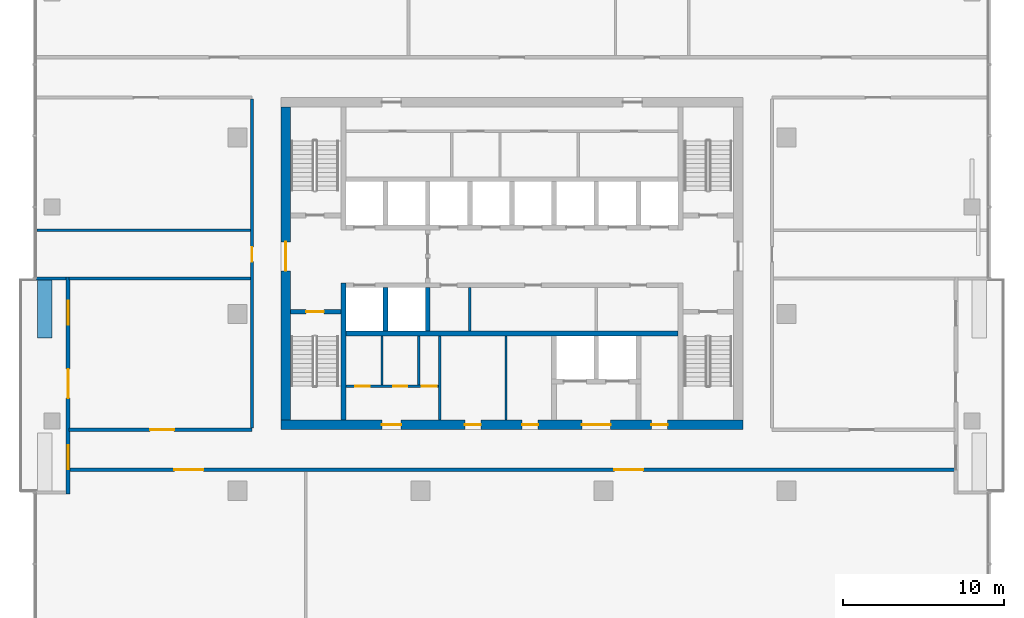
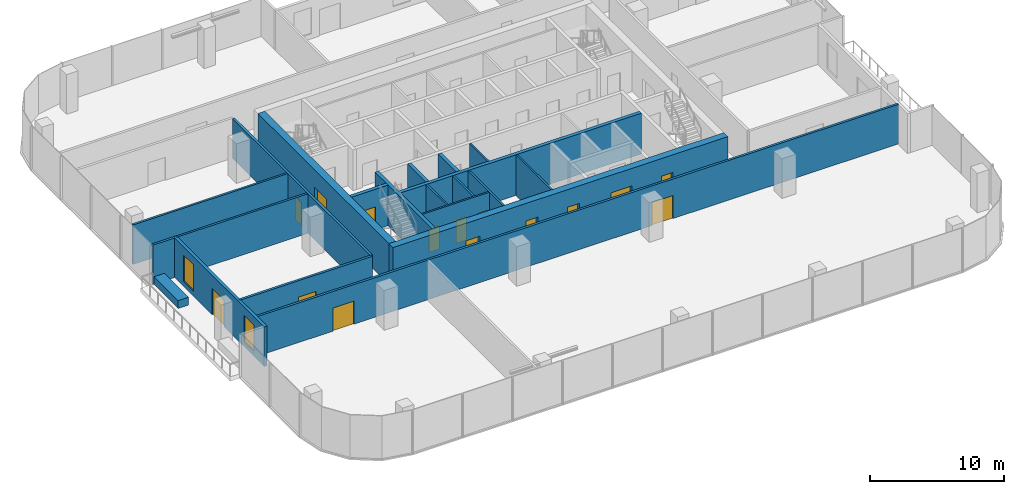
# One storey, part 7 of 13: 21 walls, 15 doors, 2 windows, 17 openings.
"""IFC4 building model written with IfcOpenShell, lengths in metres."""

import ifcopenshell
import ifcopenshell.guid

model = None  # the IFC model being written
_history = None  # IfcOwnerHistory: only IFC2X3 demands one
_inside = {}  # id of a spatial element -> (the spatial element, [elements in it])
_under = {}  # id of a project, library or spatial element -> (it, [spatial elements below it])
_declared = {}  # id of a project -> (the project, [libraries it declares])
_typed = {}  # id of a type object -> (the type object, [elements of that type])
_made_of = {}  # id of a material, layer set ... -> (it, [elements and type objects made of it])


def new_model(schema):
    """Start an empty IFC model of exactly this schema.

    Asked for "IFC4X3", IfcOpenShell would pick the latest addendum, in which some entities
    have other attributes; the version numbers below select the first issue.
    IFC2X3 requires an IfcOwnerHistory on every rooted entity: one is made here for all.
    """
    global model, _history
    if schema == "IFC4X3":
        model = ifcopenshell.file(schema_version=(4, 3, 0, 0))
    else:
        model = ifcopenshell.file(schema=schema)
    _inside.clear()
    _under.clear()
    _declared.clear()
    _typed.clear()
    _made_of.clear()
    _history = None
    if model.schema == "IFC2X3":
        org = make("IfcOrganization", Name="unknown")
        user = make(
            "IfcPersonAndOrganization",
            ThePerson=make("IfcPerson", FamilyName="unknown"),
            TheOrganization=org,
        )
        app = make(
            "IfcApplication",
            ApplicationDeveloper=org,
            Version="unknown",
            ApplicationFullName="unknown",
            ApplicationIdentifier="unknown",
        )
        _history = make(
            "IfcOwnerHistory",
            OwningUser=user,
            OwningApplication=app,
            ChangeAction="ADDED",
            CreationDate=0,
        )
    return model


def make(cls, **values):
    """One entity of the class cls with the attributes given. An attribute that is None is left unset."""
    return model.create_entity(
        cls, **{name: value for name, value in values.items() if value is not None}
    )


def rooted(cls, **values):
    """An entity with a GlobalId (a new one), such as an element, a storey or a relation."""
    return make(cls, GlobalId=ifcopenshell.guid.new(), OwnerHistory=_history, **values)


def si_unit(unit_type, name, prefix=None):
    """IfcSIUnit, for example si_unit("LENGTHUNIT", "METRE", prefix="MILLI")."""
    return make("IfcSIUnit", UnitType=unit_type, Prefix=prefix, Name=name)


def assignment(units):
    """IfcUnitAssignment: the units of a project."""
    return None if units is None else make("IfcUnitAssignment", Units=units)


def point(xyz):
    """IfcCartesianPoint."""
    return None if xyz is None else make("IfcCartesianPoint", Coordinates=xyz)


def direction(xyz):
    """IfcDirection."""
    return None if xyz is None else make("IfcDirection", DirectionRatios=xyz)


def frame(location, z_axis=None, x_axis=None):
    """IfcAxis2Placement3D, a coordinate frame: its origin and axes. An axis left out is left unset."""
    return make(
        "IfcAxis2Placement3D",
        Location=point(location),
        Axis=direction(z_axis),
        RefDirection=direction(x_axis),
    )


def frame_2d(location, x_axis=None):
    """IfcAxis2Placement2D, a coordinate frame in the plane: its origin and x axis."""
    return make(
        "IfcAxis2Placement2D", Location=point(location), RefDirection=direction(x_axis)
    )


def origin():
    """The frame at (0, 0, 0) with its axes left unset."""
    return frame((0.0, 0.0, 0.0))


def place(relative_to, where):
    """IfcLocalPlacement: puts the frame where relative to a parent placement (None: the world)."""
    return make(
        "IfcLocalPlacement", PlacementRelTo=relative_to, RelativePlacement=where
    )


def context(
    kind, dimensions, precision=None, world=None, true_north=None, identifier=None
):
    """IfcGeometricRepresentationContext, for example the 3D "Model" context."""
    return make(
        "IfcGeometricRepresentationContext",
        ContextIdentifier=identifier,
        ContextType=kind,
        CoordinateSpaceDimension=dimensions,
        Precision=precision,
        WorldCoordinateSystem=world,
        TrueNorth=true_north,
    )


def subcontext(parent, identifier, kind, view, scale=None):
    """IfcGeometricRepresentationSubContext, for example "Body" below "Model"."""
    return make(
        "IfcGeometricRepresentationSubContext",
        ContextIdentifier=identifier,
        ContextType=kind,
        ParentContext=parent,
        TargetScale=scale,
        TargetView=view,
    )


def project(units=None, contexts=None):
    """IfcProject with its units and contexts."""
    return rooted(
        "IfcProject",
        Name="project",
        RepresentationContexts=contexts,
        UnitsInContext=assignment(units),
    )


def spatial(cls, under=None, at=None, **own):
    """A site, building, storey or space (cls), placed at a placement, below another one or the project."""
    s = rooted(cls, ObjectPlacement=at, **own)
    if under is not None:
        _under.setdefault(under.id(), (under, []))[1].append(s)
    return s


def profile(cls, at=None, kind="AREA", **sizes):
    """A parametric profile (cls). Its sizes go by their IFC names, for example OverallWidth=200.0."""
    return make(cls, ProfileType=kind, Position=at, **sizes)


def rectangle(**sizes):
    """IfcRectangleProfileDef."""
    return profile("IfcRectangleProfileDef", **sizes)


def extrude(swept, where, along, depth):
    """IfcExtrudedAreaSolid: the profile swept, set in the frame where, extruded along a direction by depth."""
    return make(
        "IfcExtrudedAreaSolid",
        SweptArea=swept,
        Position=where,
        ExtrudedDirection=direction(along),
        Depth=depth,
    )


def shape(context_of_items, identifier, shape_type, items):
    """IfcShapeRepresentation: the items that make up one representation, for example the "Body"."""
    return make(
        "IfcShapeRepresentation",
        ContextOfItems=context_of_items,
        RepresentationIdentifier=identifier,
        RepresentationType=shape_type,
        Items=items,
    )


def material(Name=None, Category=None):
    """IfcMaterial."""
    return make("IfcMaterial", Name=Name, Category=Category)


def layer(
    of_material, thickness, ventilated=None, Name=None, Category=None, Priority=None
):
    """IfcMaterialLayer: one layer of a wall or slab, of a material (None: an air gap)."""
    return make(
        "IfcMaterialLayer",
        Material=of_material,
        LayerThickness=thickness,
        IsVentilated=ventilated,
        Name=Name,
        Category=Category,
        Priority=Priority,
    )


def layer_set(layers, Name=None):
    """IfcMaterialLayerSet."""
    return make("IfcMaterialLayerSet", MaterialLayers=layers, LayerSetName=Name)


def made_of(thing, what):
    """Note that an element or type object is made of a material, layer set ...; save() writes the relation."""
    if what is not None:
        _made_of.setdefault(what.id(), (what, []))[1].append(thing)
    return thing


def type_object(cls, material=None, **own):
    """A type object (cls), such as IfcWallType, which elements share."""
    return made_of(rooted(cls, **own), material)


def element(
    cls,
    number,
    at=None,
    inside=None,
    cuts=None,
    type_object=None,
    material=None,
    context=None,
    identifier="Body",
    shape_type=None,
    held_by="IfcProductDefinitionShape",
    body=None,
    shapes=None,
    **own,
):
    """One element of the class cls, such as IfcWall. Its Tag is "e" and its number.

    at: its placement. inside: the storey or other place that contains it. cuts: it is an
    opening in that element (IfcRelVoidsElement). A single representation is given by context,
    identifier, shape_type and body (its items); several are given by shapes. held_by: the class
    of the entity that holds the representations. save() writes the other relations.
    """
    e = rooted(cls, Tag="e%d" % number, ObjectPlacement=at, **own)
    if body is not None:
        shapes = [shape(context, identifier, shape_type, body)]
    if shapes is not None:
        e.Representation = make(held_by, Representations=shapes)
    if inside is not None:
        _inside.setdefault(inside.id(), (inside, []))[1].append(e)
    if cuts is not None:
        rooted(
            "IfcRelVoidsElement", RelatingBuildingElement=cuts, RelatedOpeningElement=e
        )
    if type_object is not None:
        _typed.setdefault(type_object.id(), (type_object, []))[1].append(e)
    return made_of(e, material)


def fill(opening, filler):
    """IfcRelFillsElement: the door or window that sits in an opening."""
    return rooted(
        "IfcRelFillsElement",
        RelatingOpeningElement=opening,
        RelatedBuildingElement=filler,
    )


def aggregate(whole, parts):
    """IfcRelAggregates: a whole, such as a stair, and the parts it consists of."""
    return rooted("IfcRelAggregates", RelatingObject=whole, RelatedObjects=parts)


def save(model, path):
    """Write the relations noted so far, then the file.

    IfcRelAggregates (storeys below a building ...), IfcRelContainedInSpatialStructure (elements
    in a storey), IfcRelDefinesByType, IfcRelAssociatesMaterial and IfcRelDeclares: one each for
    every whole, place, type object, material and project.
    """
    for whole, parts in _under.values():
        aggregate(whole, parts)
    for where, things in _inside.values():
        rooted(
            "IfcRelContainedInSpatialStructure",
            RelatedElements=things,
            RelatingStructure=where,
        )
    for kind, things in _typed.values():
        rooted("IfcRelDefinesByType", RelatedObjects=things, RelatingType=kind)
    for what, things in _made_of.values():
        rooted("IfcRelAssociatesMaterial", RelatedObjects=things, RelatingMaterial=what)
    for by, libraries in _declared.values():
        rooted("IfcRelDeclares", RelatingContext=by, RelatedDefinitions=libraries)
    model.write(path)


model = new_model("IFC4")

# Units and contexts
model_context = context("Model", 3, precision=1e-05, world=origin(), true_north=direction((0.0, 1.0)))
body_context = subcontext(model_context, "Body", "Model", "MODEL_VIEW")
ifc_project = project(units=[si_unit("LENGTHUNIT", "METRE"), si_unit("AREAUNIT", "SQUARE_METRE"), si_unit("VOLUMEUNIT", "CUBIC_METRE"), si_unit("PLANEANGLEUNIT", "RADIAN"), si_unit("MASSUNIT", "GRAM", prefix="KILO")], contexts=[model_context])

# Site, building, storey
site_placement = place(None, origin())
site = spatial("IfcSite", under=ifc_project, at=site_placement, CompositionType="ELEMENT")
building_placement = place(site_placement, origin())
building = spatial("IfcBuilding", under=site, at=building_placement, Name="Mopane Tessera Tower", CompositionType="ELEMENT")
storey_placement = place(building_placement, frame((0.0, 0.0, 287.39990234375)))
storey = spatial("IfcBuildingStorey", under=building, at=storey_placement, Name="L62", CompositionType="ELEMENT", Elevation=287.39990234375)

# Wall, openings, doors
ifc_material_1 = material(Name="Fire-rated gypsum board partition")
ifc_layer_1 = layer(ifc_material_1, 0.14990234375)
ifc_layer_set_1 = layer_set([ifc_layer_1], Name="Fire-rated gypsum board partition")
wall_type_1 = type_object("IfcWallType", Name="Core room partition 150 mm", PredefinedType="PARTITIONING", material=ifc_layer_set_1)
wall_1_placement = place(storey_placement, frame((-10.35009765625, -4.5, 0.0), z_axis=(0.0, 0.0, 1.0), x_axis=(1.0, 0.0, 0.0)))
wall_1 = element("IfcWall", 1, at=wall_1_placement, inside=storey, type_object=wall_type_1, Name="L62 WC partition", PredefinedType="PARTITIONING", context=body_context, shape_type="SweptSolid", body=[
    extrude(rectangle(XDim=5.775146484375, YDim=0.14990234375, at=frame_2d((2.8876953125, 0.0))), origin(), (0.0, 0.0, 1.0), 3.7001953125),
])
opening_1_placement = place(wall_1_placement, frame((0.60009765625, 0.0, 0.0)))
opening_1 = element("IfcOpeningElement", 2, at=opening_1_placement, cuts=wall_1, Name="Opening WD1", PredefinedType="OPENING", context=body_context, shape_type="SweptSolid", body=[
    extrude(rectangle(XDim=0.89990234375, YDim=2.10009765625, at=frame_2d((0.449951171875, 1.050048828125))), frame((0.0, 0.0869140625, 0.0), z_axis=(0.0, -1.0, 0.0), x_axis=(1.0, 0.0, 0.0)), (0.0, 0.0, 1.0), 0.173828125),
])
opening_2_placement = place(wall_1_placement, frame((2.93994140625, 0.0, 0.0)))
opening_2 = element("IfcOpeningElement", 3, at=opening_2_placement, cuts=wall_1, Name="Opening WD1", PredefinedType="OPENING", context=body_context, shape_type="SweptSolid", body=[
    extrude(rectangle(XDim=0.89990234375, YDim=2.10009765625, at=frame_2d((0.449951171875, 1.050048828125))), frame((0.0, 0.0869140625, 0.0), z_axis=(0.0, -1.0, 0.0), x_axis=(1.0, 0.0, 0.0)), (0.0, 0.0, 1.0), 0.173828125),
])
opening_3_placement = place(wall_1_placement, frame((4.715087890625, 0.0, 0.0)))
opening_3 = element("IfcOpeningElement", 4, at=opening_3_placement, cuts=wall_1, Name="Opening WD2", PredefinedType="OPENING", context=body_context, shape_type="SweptSolid", body=[
    extrude(rectangle(XDim=0.949951171875, YDim=2.10009765625, at=frame_2d((0.47509765625, 1.050048828125))), frame((0.0, 0.0869140625, 0.0), z_axis=(0.0, -1.0, 0.0), x_axis=(1.0, 0.0, 0.0)), (0.0, 0.0, 1.0), 0.173828125),
])
ifc_material_2 = material(Name="Timber door", Category="wood")
door_type_1 = type_object("IfcDoorType", Name="Accessible WC door 950 x 2100", OperationType="SINGLE_SWING_LEFT", PredefinedType="DOOR", material=ifc_material_2)
door_1_placement = place(opening_3_placement, origin())
door_1 = element("IfcDoor", 5, at=door_1_placement, inside=storey, type_object=door_type_1, Name="L62 Accessible WC door", OperationType="SINGLE_SWING_LEFT", OverallHeight=2.10009765625, OverallWidth=0.949951171875, PredefinedType="DOOR", context=body_context, shape_type="SweptSolid", body=[
    extrude(rectangle(XDim=0.949951171875, YDim=2.10009765625, at=frame_2d((0.47509765625, 1.050048828125))), frame((0.0, 0.02490234375, 0.0), z_axis=(0.0, -1.0, 0.0), x_axis=(1.0, 0.0, 0.0)), (0.0, 0.0, 1.0), 0.050048828125),
])
fill(opening_3, door_1)
ifc_material_3 = material(Name="Timber door", Category="wood")
door_type_2 = type_object("IfcDoorType", Name="WC cubicle door 900 x 2100", OperationType="SINGLE_SWING_LEFT", PredefinedType="DOOR", material=ifc_material_3)
door_2_placement = place(opening_1_placement, origin())
door_2 = element("IfcDoor", 6, at=door_2_placement, inside=storey, type_object=door_type_2, Name="L62 Men's WC door", OperationType="SINGLE_SWING_LEFT", OverallHeight=2.10009765625, OverallWidth=0.89990234375, PredefinedType="DOOR", context=body_context, shape_type="SweptSolid", body=[
    extrude(rectangle(XDim=0.89990234375, YDim=2.10009765625, at=frame_2d((0.449951171875, 1.050048828125))), frame((0.0, 0.02490234375, 0.0), z_axis=(0.0, -1.0, 0.0), x_axis=(1.0, 0.0, 0.0)), (0.0, 0.0, 1.0), 0.050048828125),
])
fill(opening_1, door_2)
door_3_placement = place(opening_2_placement, origin())
door_3 = element("IfcDoor", 7, at=door_3_placement, inside=storey, type_object=door_type_2, Name="L62 Women's WC door", OperationType="SINGLE_SWING_LEFT", OverallHeight=2.10009765625, OverallWidth=0.89990234375, PredefinedType="DOOR", context=body_context, shape_type="SweptSolid", body=[
    extrude(rectangle(XDim=0.89990234375, YDim=2.10009765625, at=frame_2d((0.449951171875, 1.050048828125))), frame((0.0, 0.02490234375, 0.0), z_axis=(0.0, -1.0, 0.0), x_axis=(1.0, 0.0, 0.0)), (0.0, 0.0, 1.0), 0.050048828125),
])
fill(opening_2, door_3)

# Walls
for number, where, z_axis, x_axis, name in (
    (8, (-8.10009765625, -4.425048828125, 0.0), (0.0, 0.0, 1.0), (0.0, 1.0, 0.0), "L62 WC partition"),
    (9, (-5.820068359375, -4.425048828125, 0.0), (0.0, 0.0, 1.0), (0.0, 1.0, 0.0), "L62 WC partition"),
):
    element("IfcWall", number, at=place(storey_placement, frame(where, z_axis=z_axis, x_axis=x_axis)), inside=storey, type_object=wall_type_1, Name=name, PredefinedType="PARTITIONING", context=body_context, shape_type="SweptSolid", body=[
        extrude(rectangle(XDim=3.074951171875, YDim=0.14990234375, at=frame_2d((1.53759765625, 0.0))), origin(), (0.0, 0.0, 1.0), 3.7001953125),
    ])
for number, where, z_axis, x_axis, name in (
    (10, (-4.5, -6.60009765625, 0.0), (0.0, 0.0, 1.0), (0.0, 1.0, 0.0), "L62 Room partition"),
    (11, (-0.375, -6.60009765625, 0.0), (0.0, 0.0, 1.0), (0.0, 1.0, 0.0), "L62 Room partition"),
):
    element("IfcWall", number, at=place(storey_placement, frame(where, z_axis=z_axis, x_axis=x_axis)), inside=storey, type_object=wall_type_1, Name=name, PredefinedType="PARTITIONING", context=body_context, shape_type="SweptSolid", body=[
        extrude(rectangle(XDim=5.25, YDim=0.14990234375, at=frame_2d((2.625, 0.0))), origin(), (0.0, 0.0, 1.0), 3.7001953125),
    ])
wall_2_placement = place(storey_placement, frame((-2.625, -1.050048828125, 0.0), z_axis=(0.0, 0.0, 1.0), x_axis=(0.0, 1.0, 0.0)))
element("IfcWall", 12, at=wall_2_placement, inside=storey, type_object=wall_type_1, Name="L62 Room partition", PredefinedType="PARTITIONING", context=body_context, shape_type="SweptSolid", body=[
    extrude(rectangle(XDim=2.699951171875, YDim=0.14990234375, at=frame_2d((1.35009765625, 0.0))), origin(), (0.0, 0.0, 1.0), 3.7001953125),
])

# Wall, openings, doors
ifc_material_4 = material(Name="Concrete C70/85", Category="concrete")
ifc_layer_2 = layer(ifc_material_4, 0.60009765625)
ifc_layer_set_2 = layer_set([ifc_layer_2], Name="Concrete C70/85")
wall_type_2 = type_object("IfcWallType", Name="Core shear wall 600 mm", PredefinedType="SHEAR", material=ifc_layer_set_2)
wall_3_placement = place(storey_placement, frame((-14.39990234375, -6.89990234375, 0.0), z_axis=(0.0, 0.0, 1.0), x_axis=(1.0, 0.0, 0.0)))
wall_3 = element("IfcWall", 13, at=wall_3_placement, inside=storey, type_object=wall_type_2, Name="L62 Core wall south", PredefinedType="SHEAR", context=body_context, shape_type="SweptSolid", body=[
    extrude(rectangle(XDim=28.7998046875, YDim=0.60009765625, at=frame_2d((14.39990234375, 0.0))), origin(), (0.0, 0.0, 1.0), 3.7001953125),
])
opening_4_placement = place(wall_3_placement, frame((6.300048828125, 0.0, 0.0)))
opening_4 = element("IfcOpeningElement", 14, at=opening_4_placement, cuts=wall_3, Name="Opening WD3", PredefinedType="OPENING", context=body_context, shape_type="SweptSolid", body=[
    extrude(rectangle(XDim=1.199951171875, YDim=2.10009765625, at=frame_2d((0.60009765625, 1.050048828125))), frame((0.0, 0.31201171875, 0.0), z_axis=(0.0, -1.0, 0.0), x_axis=(1.0, 0.0, 0.0)), (0.0, 0.0, 1.0), 0.6240234375),
])
opening_5_placement = place(wall_3_placement, frame((11.46240234375, 0.0, 0.0)))
opening_5 = element("IfcOpeningElement", 15, at=opening_5_placement, cuts=wall_3, Name="Opening RD1", PredefinedType="OPENING", context=body_context, shape_type="SweptSolid", body=[
    extrude(rectangle(XDim=1.0, YDim=2.10009765625, at=frame_2d((0.5, 1.050048828125))), frame((0.0, 0.31201171875, 0.0), z_axis=(0.0, -1.0, 0.0), x_axis=(1.0, 0.0, 0.0)), (0.0, 0.0, 1.0), 0.6240234375),
])
opening_6_placement = place(wall_3_placement, frame((15.02490234375, 0.0, 0.0)))
opening_6 = element("IfcOpeningElement", 16, at=opening_6_placement, cuts=wall_3, Name="Opening RD1", PredefinedType="OPENING", context=body_context, shape_type="SweptSolid", body=[
    extrude(rectangle(XDim=1.0, YDim=2.10009765625, at=frame_2d((0.5, 1.050048828125))), frame((0.0, 0.31201171875, 0.0), z_axis=(0.0, -1.0, 0.0), x_axis=(1.0, 0.0, 0.0)), (0.0, 0.0, 1.0), 0.6240234375),
])
opening_7_placement = place(wall_3_placement, frame((18.75, 0.0, 0.0)))
opening_7 = element("IfcOpeningElement", 17, at=opening_7_placement, cuts=wall_3, Name="Opening SD2", PredefinedType="OPENING", context=body_context, shape_type="SweptSolid", body=[
    extrude(rectangle(XDim=1.800048828125, YDim=2.10009765625, at=frame_2d((0.89990234375, 1.050048828125))), frame((0.0, 0.31201171875, 0.0), z_axis=(0.0, -1.0, 0.0), x_axis=(1.0, 0.0, 0.0)), (0.0, 0.0, 1.0), 0.6240234375),
])
opening_8_placement = place(wall_3_placement, frame((23.08740234375, 0.0, 0.0)))
opening_8 = element("IfcOpeningElement", 18, at=opening_8_placement, cuts=wall_3, Name="Opening RD1", PredefinedType="OPENING", context=body_context, shape_type="SweptSolid", body=[
    extrude(rectangle(XDim=1.0, YDim=2.10009765625, at=frame_2d((0.5, 1.050048828125))), frame((0.0, 0.31201171875, 0.0), z_axis=(0.0, -1.0, 0.0), x_axis=(1.0, 0.0, 0.0)), (0.0, 0.0, 1.0), 0.6240234375),
])
ifc_material_5 = material(Name="Steel fire door", Category="steel")
door_type_3 = type_object("IfcDoorType", Name="Core entrance double door 1800 x 2100", OperationType="DOUBLE_DOOR_SINGLE_SWING", PredefinedType="DOOR", material=ifc_material_5)
door_4_placement = place(opening_7_placement, origin())
door_4 = element("IfcDoor", 19, at=door_4_placement, inside=storey, type_object=door_type_3, Name="L62 Service lobby door", OperationType="DOUBLE_DOOR_SINGLE_SWING", OverallHeight=2.10009765625, OverallWidth=1.800048828125, PredefinedType="DOOR", context=body_context, shape_type="SweptSolid", body=[
    extrude(rectangle(XDim=1.800048828125, YDim=2.10009765625, at=frame_2d((0.89990234375, 1.050048828125))), frame((0.0, 0.02490234375, 0.0), z_axis=(0.0, -1.0, 0.0), x_axis=(1.0, 0.0, 0.0)), (0.0, 0.0, 1.0), 0.050048828125),
])
fill(opening_7, door_4)
ifc_material_6 = material(Name="Timber door", Category="wood")
door_type_4 = type_object("IfcDoorType", Name="Core room door 1000 x 2100", OperationType="SINGLE_SWING_LEFT", PredefinedType="DOOR", material=ifc_material_6)
door_5_placement = place(opening_5_placement, origin())
door_5 = element("IfcDoor", 20, at=door_5_placement, inside=storey, type_object=door_type_4, Name="L62 Room door", OperationType="SINGLE_SWING_LEFT", OverallHeight=2.10009765625, OverallWidth=1.0, PredefinedType="DOOR", context=body_context, shape_type="SweptSolid", body=[
    extrude(rectangle(XDim=1.0, YDim=2.10009765625, at=frame_2d((0.5, 1.050048828125))), frame((0.0, 0.02490234375, 0.0), z_axis=(0.0, -1.0, 0.0), x_axis=(1.0, 0.0, 0.0)), (0.0, 0.0, 1.0), 0.050048828125),
])
fill(opening_5, door_5)
door_6_placement = place(opening_6_placement, origin())
door_6 = element("IfcDoor", 21, at=door_6_placement, inside=storey, type_object=door_type_4, Name="L62 Room door", OperationType="SINGLE_SWING_LEFT", OverallHeight=2.10009765625, OverallWidth=1.0, PredefinedType="DOOR", context=body_context, shape_type="SweptSolid", body=[
    extrude(rectangle(XDim=1.0, YDim=2.10009765625, at=frame_2d((0.5, 1.050048828125))), frame((0.0, 0.02490234375, 0.0), z_axis=(0.0, -1.0, 0.0), x_axis=(1.0, 0.0, 0.0)), (0.0, 0.0, 1.0), 0.050048828125),
])
fill(opening_6, door_6)
door_7_placement = place(opening_8_placement, origin())
door_7 = element("IfcDoor", 22, at=door_7_placement, inside=storey, type_object=door_type_4, Name="L62 Room door", OperationType="SINGLE_SWING_LEFT", OverallHeight=2.10009765625, OverallWidth=1.0, PredefinedType="DOOR", context=body_context, shape_type="SweptSolid", body=[
    extrude(rectangle(XDim=1.0, YDim=2.10009765625, at=frame_2d((0.5, 1.050048828125))), frame((0.0, 0.02490234375, 0.0), z_axis=(0.0, -1.0, 0.0), x_axis=(1.0, 0.0, 0.0)), (0.0, 0.0, 1.0), 0.050048828125),
])
fill(opening_8, door_7)
ifc_material_7 = material(Name="Timber door", Category="wood")
door_type_5 = type_object("IfcDoorType", Name="WC lobby door 1200 x 2100", OperationType="SINGLE_SWING_LEFT", PredefinedType="DOOR", material=ifc_material_7)
door_8_placement = place(opening_4_placement, origin())
door_8 = element("IfcDoor", 23, at=door_8_placement, inside=storey, type_object=door_type_5, Name="L62 WC lobby door", OperationType="SINGLE_SWING_LEFT", OverallHeight=2.10009765625, OverallWidth=1.199951171875, PredefinedType="DOOR", context=body_context, shape_type="SweptSolid", body=[
    extrude(rectangle(XDim=1.199951171875, YDim=2.10009765625, at=frame_2d((0.60009765625, 1.050048828125))), frame((0.0, 0.02490234375, 0.0), z_axis=(0.0, -1.0, 0.0), x_axis=(1.0, 0.0, 0.0)), (0.0, 0.0, 1.0), 0.050048828125),
])
fill(opening_4, door_8)

# Wall, opening, door
wall_4_placement = place(storey_placement, frame((-14.10009765625, -6.60009765625, 0.0), z_axis=(0.0, 0.0, 1.0), x_axis=(0.0, 1.0, 0.0)))
wall_4 = element("IfcWall", 24, at=wall_4_placement, inside=storey, type_object=wall_type_2, Name="L62 Core wall west", PredefinedType="SHEAR", context=body_context, shape_type="SweptSolid", body=[
    extrude(rectangle(XDim=19.5, YDim=0.60009765625, at=frame_2d((9.75, 0.0))), origin(), (0.0, 0.0, 1.0), 3.7001953125),
])
opening_9_placement = place(wall_4_placement, frame((9.300048828125, 0.0, 0.0)))
opening_9 = element("IfcOpeningElement", 25, at=opening_9_placement, cuts=wall_4, Name="Opening SD2", PredefinedType="OPENING", context=body_context, shape_type="SweptSolid", body=[
    extrude(rectangle(XDim=1.800048828125, YDim=2.10009765625, at=frame_2d((0.89990234375, 1.050048828125))), frame((0.0, 0.31201171875, 0.0), z_axis=(0.0, -1.0, 0.0), x_axis=(1.0, 0.0, 0.0)), (0.0, 0.0, 1.0), 0.6240234375),
])
door_9_placement = place(opening_9_placement, origin())
door_9 = element("IfcDoor", 26, at=door_9_placement, inside=storey, type_object=door_type_3, Name="L62 Core entrance door west", OperationType="DOUBLE_DOOR_SINGLE_SWING", OverallHeight=2.10009765625, OverallWidth=1.800048828125, PredefinedType="DOOR", context=body_context, shape_type="SweptSolid", body=[
    extrude(rectangle(XDim=1.800048828125, YDim=2.10009765625, at=frame_2d((0.89990234375, 1.050048828125))), frame((0.0, 0.02490234375, 0.0), z_axis=(0.0, -1.0, 0.0), x_axis=(1.0, 0.0, 0.0)), (0.0, 0.0, 1.0), 0.050048828125),
])
fill(opening_9, door_9)

# Walls
ifc_material_8 = material(Name="Concrete C60/75", Category="concrete")
ifc_layer_3 = layer(ifc_material_8, 0.300048828125)
ifc_layer_set_3 = layer_set([ifc_layer_3], Name="Concrete C60/75")
wall_type_3 = type_object("IfcWallType", Name="Core spine wall 300 mm", PredefinedType="SHEAR", material=ifc_layer_set_3)
wall_5_placement = place(storey_placement, frame((-10.5, -6.60009765625, 0.0), z_axis=(0.0, 0.0, 1.0), x_axis=(0.0, 1.0, 0.0)))
element("IfcWall", 27, at=wall_5_placement, inside=storey, type_object=wall_type_3, Name="L62 Core spine wall", PredefinedType="SHEAR", context=body_context, shape_type="SweptSolid", body=[
    extrude(rectangle(XDim=8.550048828125, YDim=0.300048828125, at=frame_2d((4.27490234375, 0.0))), origin(), (0.0, 0.0, 1.0), 3.7001953125),
])
ifc_material_9 = material(Name="Gypsum board on staggered steel studs, double layer each face, acoustic mineral wool infill", Category="steel")
ifc_layer_4 = layer(ifc_material_9, 0.175048828125)
ifc_layer_set_4 = layer_set([ifc_layer_4], Name="Gypsum board on staggered steel studs, double layer each face, acoustic mineral wool infill")
wall_type_4 = type_object("IfcWallType", Name="Gypsum board acoustic partition 175, rated EI 60", PredefinedType="PARTITIONING", material=ifc_layer_set_4)
wall_6_placement = place(storey_placement, frame((-27.60009765625, 2.219970703125, 0.0), z_axis=(0.0, 0.0, 1.0), x_axis=(1.0, 0.0, 0.0)))
element("IfcWall", 28, at=wall_6_placement, inside=storey, type_object=wall_type_4, Name="Partition L62:003", PredefinedType="PARTITIONING", context=body_context, shape_type="SweptSolid", body=[
    extrude(rectangle(XDim=11.300048828125, YDim=0.175048828125, at=frame_2d((5.64990234375, 0.0))), origin(), (0.0, 0.0, 1.0), 3.60009765625),
])
wall_7_placement = place(storey_placement, frame((-29.60009765625, 5.219970703125, 0.0), z_axis=(0.0, 0.0, 1.0), x_axis=(1.0, 0.0, 0.0)))
element("IfcWall", 29, at=wall_7_placement, inside=storey, type_object=wall_type_4, Name="Partition L62:005", PredefinedType="PARTITIONING", context=body_context, shape_type="SweptSolid", body=[
    extrude(rectangle(XDim=13.300048828125, YDim=0.175048828125, at=frame_2d((6.64990234375, 0.0))), origin(), (0.0, 0.0, 1.0), 3.60009765625),
])

# Wall, openings, doors
ifc_material_10 = material(Name="Gypsum board on steel studs, two layers each face, mineral wool infill", Category="steel")
ifc_layer_5 = layer(ifc_material_10, 0.199951171875)
ifc_layer_set_5 = layer_set([ifc_layer_5], Name="Gypsum board on steel studs, two layers each face, mineral wool infill")
wall_type_5 = type_object("IfcWallType", Name="Gypsum board corridor wall 200, rated EI 60", PredefinedType="PARTITIONING", material=ifc_layer_set_5)
wall_8_placement = place(storey_placement, frame((-27.60009765625, -9.699951171875, 0.0), z_axis=(0.0, 0.0, 1.0), x_axis=(1.0, 0.0, 0.0)))
wall_8 = element("IfcWall", 30, at=wall_8_placement, inside=storey, type_object=wall_type_5, Name="Partition L62:000", PredefinedType="PARTITIONING", context=body_context, shape_type="SweptSolid", body=[
    extrude(rectangle(XDim=55.2001953125, YDim=0.199951171875, at=frame_2d((27.60009765625, 0.0))), origin(), (0.0, 0.0, 1.0), 3.60009765625),
])
opening_10_placement = place(wall_8_placement, frame((6.574951171875, 0.0, 0.0)))
opening_10 = element("IfcOpeningElement", 31, at=opening_10_placement, cuts=wall_8, Name="Opening L62-03", PredefinedType="OPENING", context=body_context, shape_type="SweptSolid", body=[
    extrude(rectangle(XDim=1.800048828125, YDim=2.10009765625, at=frame_2d((0.89990234375, 1.050048828125))), frame((0.0, 0.112060546875, 0.0), z_axis=(0.0, -1.0, 0.0), x_axis=(1.0, 0.0, 0.0)), (0.0, 0.0, 1.0), 0.223876953125),
])
opening_11_placement = place(wall_8_placement, frame((33.97509765625, 0.0, 0.0)))
opening_11 = element("IfcOpeningElement", 32, at=opening_11_placement, cuts=wall_8, Name="Opening L62-08", PredefinedType="OPENING", context=body_context, shape_type="SweptSolid", body=[
    extrude(rectangle(XDim=1.800048828125, YDim=2.10009765625, at=frame_2d((0.89990234375, 1.050048828125))), frame((0.0, 0.112060546875, 0.0), z_axis=(0.0, -1.0, 0.0), x_axis=(1.0, 0.0, 0.0)), (0.0, 0.0, 1.0), 0.223876953125),
])
ifc_material_11 = material(Name="Timber veneered steel-framed fire door", Category="steel")
door_type_6 = type_object("IfcDoorType", Name="Fire door pair FD60 1800 x 2100", OperationType="DOUBLE_DOOR_SINGLE_SWING", PredefinedType="DOOR", material=ifc_material_11)
door_10_placement = place(opening_10_placement, origin())
door_10 = element("IfcDoor", 33, at=door_10_placement, inside=storey, type_object=door_type_6, Name="Door L62-03", ObjectType="D20A", OperationType="DOUBLE_DOOR_SINGLE_SWING", OverallHeight=2.10009765625, OverallWidth=1.800048828125, PredefinedType="DOOR", context=body_context, shape_type="SweptSolid", body=[
    extrude(rectangle(XDim=1.800048828125, YDim=2.10009765625, at=frame_2d((0.89990234375, 1.050048828125))), frame((0.0, 0.02490234375, 0.0), z_axis=(0.0, -1.0, 0.0), x_axis=(1.0, 0.0, 0.0)), (0.0, 0.0, 1.0), 0.050048828125),
])
fill(opening_10, door_10)
door_11_placement = place(opening_11_placement, origin())
door_11 = element("IfcDoor", 34, at=door_11_placement, inside=storey, type_object=door_type_6, Name="Door L62-08", ObjectType="D20A", OperationType="DOUBLE_DOOR_SINGLE_SWING", OverallHeight=2.10009765625, OverallWidth=1.800048828125, PredefinedType="DOOR", context=body_context, shape_type="SweptSolid", body=[
    extrude(rectangle(XDim=1.800048828125, YDim=2.10009765625, at=frame_2d((0.89990234375, 1.050048828125))), frame((0.0, 0.02490234375, 0.0), z_axis=(0.0, -1.0, 0.0), x_axis=(1.0, 0.0, 0.0)), (0.0, 0.0, 1.0), 0.050048828125),
])
fill(opening_11, door_11)

# Wall, opening, door
wall_9_placement = place(storey_placement, frame((-27.60009765625, -7.199951171875, 0.0), z_axis=(0.0, 0.0, 1.0), x_axis=(1.0, 0.0, 0.0)))
wall_9 = element("IfcWall", 35, at=wall_9_placement, inside=storey, type_object=wall_type_5, Name="Partition L62:001", PredefinedType="PARTITIONING", context=body_context, shape_type="SweptSolid", body=[
    extrude(rectangle(XDim=11.400146484375, YDim=0.199951171875, at=frame_2d((5.7001953125, 0.0))), origin(), (0.0, 0.0, 1.0), 3.60009765625),
])
opening_12_placement = place(wall_9_placement, frame((5.050048828125, 0.0, 0.0)))
opening_12 = element("IfcOpeningElement", 36, at=opening_12_placement, cuts=wall_9, Name="Opening L62-10", PredefinedType="OPENING", context=body_context, shape_type="SweptSolid", body=[
    extrude(rectangle(XDim=1.5, YDim=2.10009765625, at=frame_2d((0.75, 1.050048828125))), frame((0.0, 0.112060546875, 0.0), z_axis=(0.0, -1.0, 0.0), x_axis=(1.0, 0.0, 0.0)), (0.0, 0.0, 1.0), 0.223876953125),
])
ifc_material_12 = material(Name="Timber veneered steel-framed fire door", Category="steel")
door_type_7 = type_object("IfcDoorType", Name="Fire door pair FD60 1500 x 2100", OperationType="DOUBLE_DOOR_SINGLE_SWING", PredefinedType="DOOR", material=ifc_material_12)
door_12_placement = place(opening_12_placement, origin())
door_12 = element("IfcDoor", 37, at=door_12_placement, inside=storey, type_object=door_type_7, Name="Door L62-10", ObjectType="D17A", OperationType="DOUBLE_DOOR_SINGLE_SWING", OverallHeight=2.10009765625, OverallWidth=1.5, PredefinedType="DOOR", context=body_context, shape_type="SweptSolid", body=[
    extrude(rectangle(XDim=1.5, YDim=2.10009765625, at=frame_2d((0.75, 1.050048828125))), frame((0.0, 0.02490234375, 0.0), z_axis=(0.0, -1.0, 0.0), x_axis=(1.0, 0.0, 0.0)), (0.0, 0.0, 1.0), 0.050048828125),
])
fill(opening_12, door_12)

wall_10_placement = place(storey_placement, frame((-16.199951171875, -7.10009765625, 0.0), z_axis=(0.0, 0.0, 1.0), x_axis=(0.0, 1.0, 0.0)))
wall_10 = element("IfcWall", 38, at=wall_10_placement, inside=storey, type_object=wall_type_5, Name="Partition L62:010", PredefinedType="PARTITIONING", context=body_context, shape_type="SweptSolid", body=[
    extrude(rectangle(XDim=20.5, YDim=0.199951171875, at=frame_2d((10.25, 0.0))), origin(), (0.0, 0.0, 1.0), 3.60009765625),
])
opening_13_placement = place(wall_10_placement, frame((10.3701171875, 0.0, 0.0)))
opening_13 = element("IfcOpeningElement", 39, at=opening_13_placement, cuts=wall_10, Name="Opening L62-06", PredefinedType="OPENING", context=body_context, shape_type="SweptSolid", body=[
    extrude(rectangle(XDim=0.89990234375, YDim=2.10009765625, at=frame_2d((0.449951171875, 1.050048828125))), frame((0.0, 0.112060546875, 0.0), z_axis=(0.0, -1.0, 0.0), x_axis=(1.0, 0.0, 0.0)), (0.0, 0.0, 1.0), 0.223876953125),
])
ifc_material_13 = material(Name="Timber veneered steel-framed fire door", Category="steel")
door_type_8 = type_object("IfcDoorType", Name="Fire door FD60 900 x 2100", OperationType="SINGLE_SWING_LEFT", PredefinedType="DOOR", material=ifc_material_13)
door_13_placement = place(opening_13_placement, origin())
door_13 = element("IfcDoor", 40, at=door_13_placement, inside=storey, type_object=door_type_8, Name="Door L62-06", ObjectType="D10A", OperationType="SINGLE_SWING_LEFT", OverallHeight=2.10009765625, OverallWidth=0.89990234375, PredefinedType="DOOR", context=body_context, shape_type="SweptSolid", body=[
    extrude(rectangle(XDim=0.89990234375, YDim=2.10009765625, at=frame_2d((0.449951171875, 1.050048828125))), frame((0.0, 0.02490234375, 0.0), z_axis=(0.0, -1.0, 0.0), x_axis=(1.0, 0.0, 0.0)), (0.0, 0.0, 1.0), 0.050048828125),
])
fill(opening_13, door_13)

ifc_material_14 = material(Name="Concrete C50/60", Category="concrete")
ifc_layer_6 = layer(ifc_material_14, 0.300048828125)
ifc_layer_set_6 = layer_set([ifc_layer_6], Name="Concrete C50/60")
wall_type_6 = type_object("IfcWallType", Name="Lift and stair shaft wall 300 mm", PredefinedType="SOLIDWALL", material=ifc_layer_set_6)
wall_11_placement = place(storey_placement, frame((-13.800048828125, 0.14990234375, 0.0), z_axis=(0.0, 0.0, 1.0), x_axis=(1.0, 0.0, 0.0)))
wall_11 = element("IfcWall", 41, at=wall_11_placement, inside=storey, type_object=wall_type_6, Name="L62 Stair enclosure wall", PredefinedType="SOLIDWALL", context=body_context, shape_type="SweptSolid", body=[
    extrude(rectangle(XDim=3.150146484375, YDim=0.300048828125, at=frame_2d((1.5751953125, 0.0))), origin(), (0.0, 0.0, 1.0), 3.7001953125),
])
opening_14_placement = place(wall_11_placement, frame((0.97509765625, 0.0, 0.0)))
opening_14 = element("IfcOpeningElement", 42, at=opening_14_placement, cuts=wall_11, Name="Opening SD1", PredefinedType="OPENING", context=body_context, shape_type="SweptSolid", body=[
    extrude(rectangle(XDim=1.10009765625, YDim=2.10009765625, at=frame_2d((0.550048828125, 1.050048828125))), frame((0.0, 0.162109375, 0.0), z_axis=(0.0, -1.0, 0.0), x_axis=(1.0, 0.0, 0.0)), (0.0, 0.0, 1.0), 0.323974609375),
])
ifc_material_15 = material(Name="Steel fire door", Category="steel")
door_type_9 = type_object("IfcDoorType", Name="Stair fire door 1100 x 2100", OperationType="SINGLE_SWING_LEFT", PredefinedType="DOOR", material=ifc_material_15)
door_14_placement = place(opening_14_placement, origin())
door_14 = element("IfcDoor", 43, at=door_14_placement, inside=storey, type_object=door_type_9, Name="L62 Stair door ST1", OperationType="SINGLE_SWING_LEFT", OverallHeight=2.10009765625, OverallWidth=1.10009765625, PredefinedType="DOOR", context=body_context, shape_type="SweptSolid", body=[
    extrude(rectangle(XDim=1.10009765625, YDim=2.10009765625, at=frame_2d((0.550048828125, 1.050048828125))), frame((0.0, 0.02490234375, 0.0), z_axis=(0.0, -1.0, 0.0), x_axis=(1.0, 0.0, 0.0)), (0.0, 0.0, 1.0), 0.050048828125),
])
fill(opening_14, door_14)

# Walls
wall_12_placement = place(storey_placement, frame((-10.35009765625, -1.199951171875, 0.0), z_axis=(0.0, 0.0, 1.0), x_axis=(1.0, 0.0, 0.0)))
element("IfcWall", 44, at=wall_12_placement, inside=storey, type_object=wall_type_6, Name="L62 Lift shaft rear wall", PredefinedType="SOLIDWALL", context=body_context, shape_type="SweptSolid", body=[
    extrude(rectangle(XDim=20.7001953125, YDim=0.300048828125, at=frame_2d((10.35009765625, 0.0))), origin(), (0.0, 0.0, 1.0), 3.7001953125),
])
for number, where, z_axis, x_axis, name in (
    (45, (-7.875, -1.050048828125, 0.0), (0.0, 0.0, 1.0), (0.0, 1.0, 0.0), "L62 Lift shaft wall"),
    (46, (-5.25, -1.050048828125, 0.0), (0.0, 0.0, 1.0), (0.0, 1.0, 0.0), "L62 Lift shaft wall"),
):
    element("IfcWall", number, at=place(storey_placement, frame(where, z_axis=z_axis, x_axis=x_axis)), inside=storey, type_object=wall_type_6, Name=name, PredefinedType="SOLIDWALL", context=body_context, shape_type="SweptSolid", body=[
        extrude(rectangle(XDim=2.699951171875, YDim=0.300048828125, at=frame_2d((1.35009765625, 0.0))), origin(), (0.0, 0.0, 1.0), 3.7001953125),
    ])
ifc_material_16 = material(Name="Reinforced concrete C32/40 with waterproofing", Category="concrete")
ifc_layer_7 = layer(ifc_material_16, 0.89990234375)
ifc_layer_set_7 = layer_set([ifc_layer_7], Name="Reinforced concrete C32/40 with waterproofing")
wall_type_7 = type_object("IfcWallType", Name="Planter trough 3600 x 900", PredefinedType="STANDARD", material=ifc_layer_set_7)
wall_13_placement = place(storey_placement, frame((-29.10009765625, 2.122314453125, 0.0), z_axis=(0.0, 0.0, 1.0), x_axis=(0.0, -1.0, 0.0)))
element("IfcWall", 47, at=wall_13_placement, inside=storey, type_object=wall_type_7, Name="e:nw:L62:N3:pl0", PredefinedType="STANDARD", context=body_context, shape_type="SweptSolid", body=[
    extrude(rectangle(XDim=3.60009765625, YDim=0.89990234375, at=frame_2d((1.800048828125, 0.0))), origin(), (0.0, 0.0, 1.0), 0.7001953125),
])
ifc_material_17 = material(Name="Blockwork with glazed tile facing", Category="masonry")
ifc_layer_8 = layer(ifc_material_17, 0.199951171875)
ifc_layer_set_8 = layer_set([ifc_layer_8], Name="Blockwork with glazed tile facing")
wall_type_8 = type_object("IfcWallType", Name="Terrace cheek wall 200", PredefinedType="STANDARD", material=ifc_layer_set_8)
wall_14_placement = place(storey_placement, frame((-29.64990234375, 2.22216796875, 0.0), z_axis=(0.0, 0.0, 1.0), x_axis=(1.0, 0.0, 0.0)))
element("IfcWall", 48, at=wall_14_placement, inside=storey, type_object=wall_type_8, Name="e:nw:L62:N3:cheeka", PredefinedType="STANDARD", context=body_context, shape_type="SweptSolid", body=[
    extrude(rectangle(XDim=1.875, YDim=0.199951171875, at=frame_2d((0.9375, 0.0))), origin(), (0.0, 0.0, 1.0), 3.60009765625),
])

# Wall, openings, windows, door
ifc_material_18 = material(Name="Blockwork with turquoise glazed tile facing", Category="masonry")
ifc_layer_9 = layer(ifc_material_18, 0.25)
ifc_layer_set_9 = layer_set([ifc_layer_9], Name="Blockwork with turquoise glazed tile facing")
wall_type_9 = type_object("IfcWallType", Name="Tile-clad external wall 250, turquoise", PredefinedType="STANDARD", material=ifc_layer_set_9)
wall_15_placement = place(storey_placement, frame((-27.64990234375, 2.322265625, 0.0), z_axis=(0.0, 0.0, 1.0), x_axis=(0.0, -1.0, 0.0)))
wall_15 = element("IfcWall", 49, at=wall_15_placement, inside=storey, type_object=wall_type_9, Name="e:nw:L62:N3:back", PredefinedType="STANDARD", context=body_context, shape_type="SweptSolid", body=[
    extrude(rectangle(XDim=13.533447265625, YDim=0.25, at=frame_2d((6.7666015625, 0.0))), origin(), (0.0, 0.0, 1.0), 3.60009765625),
])
opening_15_placement = place(wall_15_placement, frame((1.5, 0.0, 0.449951171875)))
opening_15 = element("IfcOpeningElement", 50, at=opening_15_placement, cuts=wall_15, Name="Opening NW623A", PredefinedType="OPENING", context=body_context, shape_type="SweptSolid", body=[
    extrude(rectangle(XDim=1.5, YDim=2.39990234375, at=frame_2d((0.75, 1.199951171875))), frame((0.0, 0.136962890625, 0.0), z_axis=(0.0, -1.0, 0.0), x_axis=(1.0, 0.0, 0.0)), (0.0, 0.0, 1.0), 0.27392578125),
])
opening_16_placement = place(wall_15_placement, frame((5.75, 0.0, 0.0)))
opening_16 = element("IfcOpeningElement", 51, at=opening_16_placement, cuts=wall_15, Name="Opening ND623", PredefinedType="OPENING", context=body_context, shape_type="SweptSolid", body=[
    extrude(rectangle(XDim=1.800048828125, YDim=2.39990234375, at=frame_2d((0.89990234375, 1.199951171875))), frame((0.0, 0.136962890625, 0.0), z_axis=(0.0, -1.0, 0.0), x_axis=(1.0, 0.0, 0.0)), (0.0, 0.0, 1.0), 0.27392578125),
])
opening_17_placement = place(wall_15_placement, frame((10.5, 0.0, 0.449951171875)))
opening_17 = element("IfcOpeningElement", 52, at=opening_17_placement, cuts=wall_15, Name="Opening NW623B", PredefinedType="OPENING", context=body_context, shape_type="SweptSolid", body=[
    extrude(rectangle(XDim=1.5, YDim=2.39990234375, at=frame_2d((0.75, 1.199951171875))), frame((0.0, 0.136962890625, 0.0), z_axis=(0.0, -1.0, 0.0), x_axis=(1.0, 0.0, 0.0)), (0.0, 0.0, 1.0), 0.27392578125),
])
ifc_material_19 = material(Name="Clear laminated glass", Category="glass")
window_type = type_object("IfcWindowType", Name="Fixed window 1500 x 2400", PartitioningType="SINGLE_PANEL", PredefinedType="WINDOW", material=ifc_material_19)
window_1_placement = place(opening_15_placement, origin())
window_1 = element("IfcWindow", 53, at=window_1_placement, inside=storey, type_object=window_type, Name="e:nw:L62:N3:win0", OverallHeight=2.39990234375, OverallWidth=1.5, PartitioningType="SINGLE_PANEL", PredefinedType="WINDOW", context=body_context, shape_type="SweptSolid", body=[
    extrude(rectangle(XDim=1.5, YDim=2.39990234375, at=frame_2d((0.75, 1.199951171875))), frame((0.0, 0.030029296875, 0.0), z_axis=(0.0, -1.0, 0.0), x_axis=(1.0, 0.0, 0.0)), (0.0, 0.0, 1.0), 0.06005859375),
])
fill(opening_15, window_1)
window_2_placement = place(opening_17_placement, origin())
window_2 = element("IfcWindow", 54, at=window_2_placement, inside=storey, type_object=window_type, Name="e:nw:L62:N3:win2", OverallHeight=2.39990234375, OverallWidth=1.5, PartitioningType="SINGLE_PANEL", PredefinedType="WINDOW", context=body_context, shape_type="SweptSolid", body=[
    extrude(rectangle(XDim=1.5, YDim=2.39990234375, at=frame_2d((0.75, 1.199951171875))), frame((0.0, 0.030029296875, 0.0), z_axis=(0.0, -1.0, 0.0), x_axis=(1.0, 0.0, 0.0)), (0.0, 0.0, 1.0), 0.06005859375),
])
fill(opening_17, window_2)
ifc_material_20 = material(Name="Aluminium and clear glass", Category="aluminium")
door_type_10 = type_object("IfcDoorType", Name="Terrace double door 1800 x 2400", OperationType="DOUBLE_DOOR_SINGLE_SWING", PredefinedType="DOOR", material=ifc_material_20)
door_15_placement = place(opening_16_placement, origin())
door_15 = element("IfcDoor", 55, at=door_15_placement, inside=storey, type_object=door_type_10, Name="e:nw:L62:N3:door", ObjectType="D1", OperationType="DOUBLE_DOOR_SINGLE_SWING", OverallHeight=2.39990234375, OverallWidth=1.800048828125, PredefinedType="DOOR", context=body_context, shape_type="SweptSolid", body=[
    extrude(rectangle(XDim=1.800048828125, YDim=2.39990234375, at=frame_2d((0.89990234375, 1.199951171875))), frame((0.0, 0.02490234375, 0.0), z_axis=(0.0, -1.0, 0.0), x_axis=(1.0, 0.0, 0.0)), (0.0, 0.0, 1.0), 0.050048828125),
])
fill(opening_16, door_15)

save(model, "model.ifc")
